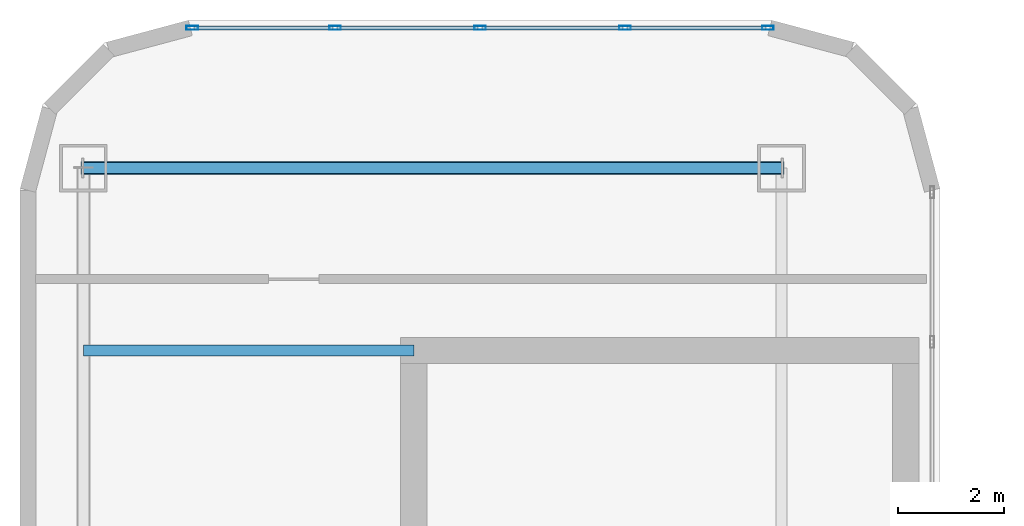
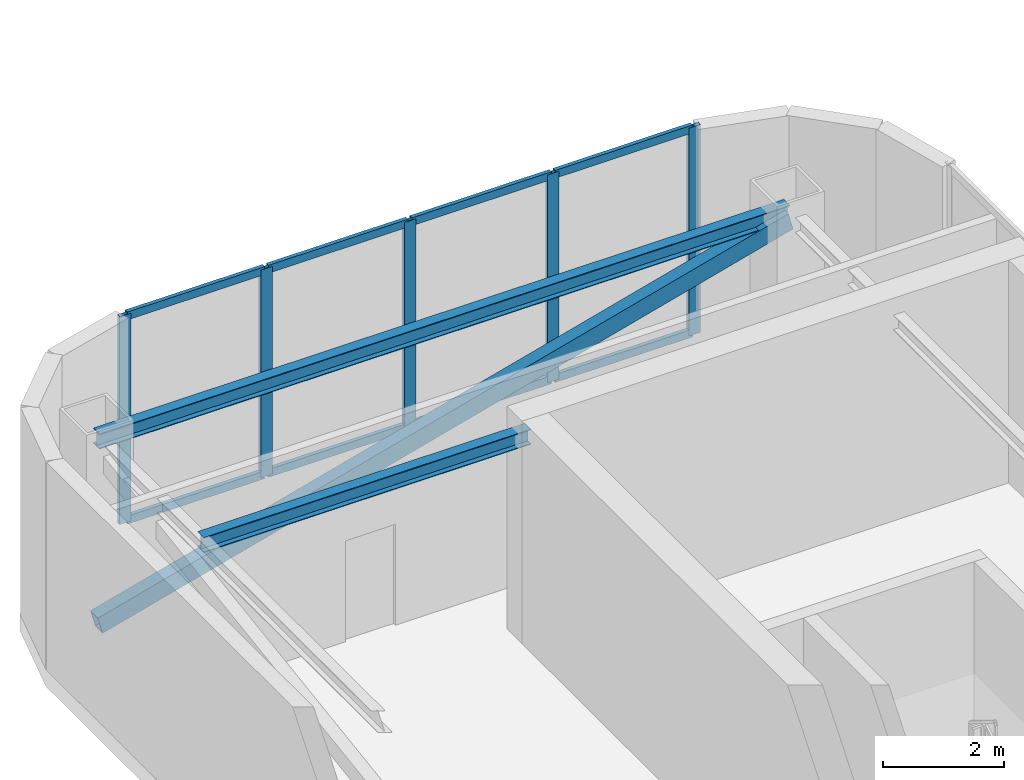
# One storey, part 4 of 14: 14 members, 2 beams, 1 element without a shape of its own.
"""IFC4 building model written with IfcOpenShell, lengths in metres."""

from ifc_helpers import new_model, si_unit, direction, frame, origin, origin_2d, place, context, subcontext, project, spatial, hollow_rectangle, i_section, extrude, material, layer, layer_set, material_profile, profile_set, type_object, element, aggregate, save


model = new_model("IFC4")

# Units and contexts
model_context = context("Model", 3, precision=1e-05, world=origin(), true_north=direction((0.0, 1.0)))
body_context = subcontext(model_context, "Body", "Model", "MODEL_VIEW")
ifc_project = project(units=[si_unit("LENGTHUNIT", "METRE"), si_unit("AREAUNIT", "SQUARE_METRE"), si_unit("VOLUMEUNIT", "CUBIC_METRE"), si_unit("PLANEANGLEUNIT", "RADIAN"), si_unit("MASSUNIT", "GRAM", prefix="KILO")], contexts=[model_context])

# Site, building, storey
site_placement = place(None, origin())
site = spatial("IfcSite", under=ifc_project, at=site_placement, CompositionType="ELEMENT")
building_placement = place(site_placement, origin())
building = spatial("IfcBuilding", under=site, at=building_placement, Name="Kiyonajd Concourse Tower", CompositionType="ELEMENT")
storey_placement = place(building_placement, frame((0.0, 0.0, 359.39990234375)))
storey = spatial("IfcBuildingStorey", under=building, at=storey_placement, Name="L90", CompositionType="ELEMENT", Elevation=359.39990234375)

# Beams
ifc_material_1 = material(Name="Steel ASTM A992 Grade 50", Category="steel")
ifc_material_profile_1 = material_profile(ifc_material_1, i_section(OverallWidth=0.2041015625, OverallDepth=0.305908203125, WebThickness=0.008544921875, FlangeThickness=0.0146484375, at=origin_2d()), Name="W310X67")
ifc_profile_set_1 = profile_set([ifc_material_profile_1], Name="Steel ASTM A992 Grade 50")
beam_type = type_object("IfcBeamType", Name="BM-CRN-310", PredefinedType="BEAM", material=ifc_profile_set_1)
beam_1_placement = place(storey_placement, frame((39.60009765625, 47.60009765625, 4.007080078125), z_axis=(-1.0, 0.0, 0.0), x_axis=(0.0, -1.0, 0.0)))
element("IfcBeam", 1, at=beam_1_placement, inside=storey, type_object=beam_type, Name="L90 W Crown Ring Beam 3", PredefinedType="BEAM", context=body_context, shape_type="SweptSolid", body=[
    extrude(i_section(OverallWidth=0.2041015625, OverallDepth=0.305908203125, WebThickness=0.008544921875, FlangeThickness=0.0146484375, at=origin_2d()), origin(), (0.0, 0.0, 1.0), 13.2001953125),
])
beam_2_placement = place(storey_placement, frame((26.39990234375, 44.14990234375, 4.007080078125), z_axis=(1.0, 0.0, 0.0), x_axis=(0.0, 1.0, 0.0)))
element("IfcBeam", 2, at=beam_2_placement, inside=storey, type_object=beam_type, Name="L90 W Crown Core Tie North", PredefinedType="BEAM", context=body_context, shape_type="SweptSolid", body=[
    extrude(i_section(OverallWidth=0.2041015625, OverallDepth=0.305908203125, WebThickness=0.008544921875, FlangeThickness=0.0146484375, at=origin_2d()), origin(), (0.0, 0.0, 1.0), 6.25),
])

# Member
ifc_material_2 = material(Name="Steel ASTM A500 Grade C", Category="steel")
ifc_material_profile_2 = material_profile(ifc_material_2, hollow_rectangle(XDim=0.25, YDim=0.35009765625, WallThickness=0.01611328125, at=origin_2d()), Name="HSS-350x250x16")
ifc_profile_set_2 = profile_set([ifc_material_profile_2], Name="Steel ASTM A500 Grade C")
member_type_1 = type_object("IfcMemberType", Name="MB-CRN-BRC", PredefinedType="BRACE", material=ifc_profile_set_2)
member_1_placement = place(storey_placement, frame((26.39990234375, 47.60009765625, 0.300048828125), z_axis=(0.965686426115, 0.0, 0.25971085156), x_axis=(0.0, 1.0, 0.0)))
element("IfcMember", 3, at=member_1_placement, inside=storey, type_object=member_type_1, Name="L90 W Crown Wind Brace 1", PredefinedType="BRACE", context=body_context, shape_type="SweptSolid", body=[
    extrude(hollow_rectangle(XDim=0.25, YDim=0.35009765625, WallThickness=0.01611328125, at=origin_2d()), origin(), (0.0, 0.0, 1.0), 13.669189453125),
])

# Curtain wall, members
ifc_material_3 = material(Name="Thermally Broken Anodised Aluminium", Category="aluminium")
ifc_layer = layer(ifc_material_3, 0.179931640625)
ifc_layer_set = layer_set([ifc_layer], Name="Thermally Broken Anodised Aluminium")
curtain_wall_type = type_object("IfcCurtainWallType", Name="CW-SYS-06", PredefinedType="NOTDEFINED", material=ifc_layer_set)
curtain_wall_placement = place(storey_placement, origin())
curtain_wall = element("IfcCurtainWall", 4, at=curtain_wall_placement, inside=storey, type_object=curtain_wall_type, Name="L90 Unitised Curtain Wall CW6", PredefinedType="NOTDEFINED")
ifc_material_profile_3 = material_profile(ifc_material_3, hollow_rectangle(XDim=0.074951171875, YDim=0.219970703125, WallThickness=0.0048828125, at=origin_2d()), Name="MULL-75x220")
ifc_profile_set_3 = profile_set([ifc_material_profile_3], Name="Thermally Broken Anodised Aluminium")
member_type_2 = type_object("IfcMemberType", Name="MB-CW-MULL2", PredefinedType="MULLION", material=ifc_profile_set_3)
member_2_placement = place(storey_placement, frame((28.457275390625, 50.25, 0.0), z_axis=(0.0, 0.0, 1.0), x_axis=(0.0, 1.0, 0.0)))
member_2 = element("IfcMember", 5, at=member_2_placement, type_object=member_type_2, Name="CW6 mullion 1", PredefinedType="MULLION", context=body_context, shape_type="SweptSolid", body=[
    extrude(hollow_rectangle(XDim=0.074951171875, YDim=0.219970703125, WallThickness=0.0048828125, at=origin_2d()), origin(), (0.0, 0.0, 1.0), 4.2001953125),
])
member_3_placement = place(storey_placement, frame((31.159912109375, 50.25, 0.0), z_axis=(0.0, 0.0, 1.0), x_axis=(0.0, 1.0, 0.0)))
member_3 = element("IfcMember", 6, at=member_3_placement, type_object=member_type_2, Name="CW6 mullion 2", PredefinedType="MULLION", context=body_context, shape_type="SweptSolid", body=[
    extrude(hollow_rectangle(XDim=0.074951171875, YDim=0.219970703125, WallThickness=0.0048828125, at=origin_2d()), origin(), (0.0, 0.0, 1.0), 4.2001953125),
])
member_4_placement = place(storey_placement, frame((33.89990234375, 50.25, 0.0), z_axis=(0.0, 0.0, 1.0), x_axis=(0.0, 1.0, 0.0)))
member_4 = element("IfcMember", 7, at=member_4_placement, type_object=member_type_2, Name="CW6 mullion 3", PredefinedType="MULLION", context=body_context, shape_type="SweptSolid", body=[
    extrude(hollow_rectangle(XDim=0.074951171875, YDim=0.219970703125, WallThickness=0.0048828125, at=origin_2d()), origin(), (0.0, 0.0, 1.0), 4.2001953125),
])
member_5_placement = place(storey_placement, frame((36.64013671875, 50.25, 0.0), z_axis=(0.0, 0.0, 1.0), x_axis=(0.0, 1.0, 0.0)))
member_5 = element("IfcMember", 8, at=member_5_placement, type_object=member_type_2, Name="CW6 mullion 4", PredefinedType="MULLION", context=body_context, shape_type="SweptSolid", body=[
    extrude(hollow_rectangle(XDim=0.074951171875, YDim=0.219970703125, WallThickness=0.0048828125, at=origin_2d()), origin(), (0.0, 0.0, 1.0), 4.2001953125),
])
member_6_placement = place(storey_placement, frame((39.3427734375, 50.25, 0.0), z_axis=(0.0, 0.0, 1.0), x_axis=(0.0, 1.0, 0.0)))
member_6 = element("IfcMember", 9, at=member_6_placement, type_object=member_type_2, Name="CW6 mullion 5", PredefinedType="MULLION", context=body_context, shape_type="SweptSolid", body=[
    extrude(hollow_rectangle(XDim=0.074951171875, YDim=0.219970703125, WallThickness=0.0048828125, at=origin_2d()), origin(), (0.0, 0.0, 1.0), 4.2001953125),
])
ifc_material_profile_4 = material_profile(ifc_material_3, hollow_rectangle(XDim=0.074951171875, YDim=0.159912109375, WallThickness=0.0048828125, at=origin_2d()), Name="TRAN-75x160")
ifc_profile_set_4 = profile_set([ifc_material_profile_4], Name="Thermally Broken Anodised Aluminium")
member_type_3 = type_object("IfcMemberType", Name="MB-CW-TRAN2", PredefinedType="USERDEFINED", material=ifc_profile_set_4)
member_7_placement = place(storey_placement, frame((28.494873046875, 50.25, 0.03759765625), z_axis=(1.0, 0.0, 0.0), x_axis=(0.0, 1.0, 0.0)))
member_7 = element("IfcMember", 10, at=member_7_placement, type_object=member_type_3, Name="CW6 transom 1.1", ObjectType="TRANSOM", PredefinedType="USERDEFINED", context=body_context, shape_type="SweptSolid", body=[
    extrude(hollow_rectangle(XDim=0.074951171875, YDim=0.159912109375, WallThickness=0.0048828125, at=origin_2d()), origin(), (0.0, 0.0, 1.0), 2.62744140625),
])
member_8_placement = place(storey_placement, frame((28.494873046875, 50.25, 4.16259765625), z_axis=(1.0, 0.0, 0.0), x_axis=(0.0, 1.0, 0.0)))
member_8 = element("IfcMember", 11, at=member_8_placement, type_object=member_type_3, Name="CW6 transom 1.2", ObjectType="TRANSOM", PredefinedType="USERDEFINED", context=body_context, shape_type="SweptSolid", body=[
    extrude(hollow_rectangle(XDim=0.074951171875, YDim=0.159912109375, WallThickness=0.0048828125, at=origin_2d()), origin(), (0.0, 0.0, 1.0), 2.62744140625),
])
member_9_placement = place(storey_placement, frame((31.197509765625, 50.25, 0.03759765625), z_axis=(1.0, 0.0, 0.0), x_axis=(0.0, 1.0, 0.0)))
member_9 = element("IfcMember", 12, at=member_9_placement, type_object=member_type_3, Name="CW6 transom 2.1", ObjectType="TRANSOM", PredefinedType="USERDEFINED", context=body_context, shape_type="SweptSolid", body=[
    extrude(hollow_rectangle(XDim=0.074951171875, YDim=0.159912109375, WallThickness=0.0048828125, at=origin_2d()), origin(), (0.0, 0.0, 1.0), 2.6650390625),
])
member_10_placement = place(storey_placement, frame((31.197509765625, 50.25, 4.16259765625), z_axis=(1.0, 0.0, 0.0), x_axis=(0.0, 1.0, 0.0)))
member_10 = element("IfcMember", 13, at=member_10_placement, type_object=member_type_3, Name="CW6 transom 2.2", ObjectType="TRANSOM", PredefinedType="USERDEFINED", context=body_context, shape_type="SweptSolid", body=[
    extrude(hollow_rectangle(XDim=0.074951171875, YDim=0.159912109375, WallThickness=0.0048828125, at=origin_2d()), origin(), (0.0, 0.0, 1.0), 2.6650390625),
])
member_11_placement = place(storey_placement, frame((33.9375, 50.25, 0.03759765625), z_axis=(1.0, 0.0, 0.0), x_axis=(0.0, 1.0, 0.0)))
member_11 = element("IfcMember", 14, at=member_11_placement, type_object=member_type_3, Name="CW6 transom 3.1", ObjectType="TRANSOM", PredefinedType="USERDEFINED", context=body_context, shape_type="SweptSolid", body=[
    extrude(hollow_rectangle(XDim=0.074951171875, YDim=0.159912109375, WallThickness=0.0048828125, at=origin_2d()), origin(), (0.0, 0.0, 1.0), 2.6650390625),
])
member_12_placement = place(storey_placement, frame((33.9375, 50.25, 4.16259765625), z_axis=(1.0, 0.0, 0.0), x_axis=(0.0, 1.0, 0.0)))
member_12 = element("IfcMember", 15, at=member_12_placement, type_object=member_type_3, Name="CW6 transom 3.2", ObjectType="TRANSOM", PredefinedType="USERDEFINED", context=body_context, shape_type="SweptSolid", body=[
    extrude(hollow_rectangle(XDim=0.074951171875, YDim=0.159912109375, WallThickness=0.0048828125, at=origin_2d()), origin(), (0.0, 0.0, 1.0), 2.6650390625),
])
member_13_placement = place(storey_placement, frame((36.677490234375, 50.25, 0.03759765625), z_axis=(1.0, 0.0, 0.0), x_axis=(0.0, 1.0, 0.0)))
member_13 = element("IfcMember", 16, at=member_13_placement, type_object=member_type_3, Name="CW6 transom 4.1", ObjectType="TRANSOM", PredefinedType="USERDEFINED", context=body_context, shape_type="SweptSolid", body=[
    extrude(hollow_rectangle(XDim=0.074951171875, YDim=0.159912109375, WallThickness=0.0048828125, at=origin_2d()), origin(), (0.0, 0.0, 1.0), 2.627685546875),
])
member_14_placement = place(storey_placement, frame((36.677490234375, 50.25, 4.16259765625), z_axis=(1.0, 0.0, 0.0), x_axis=(0.0, 1.0, 0.0)))
member_14 = element("IfcMember", 17, at=member_14_placement, type_object=member_type_3, Name="CW6 transom 4.2", ObjectType="TRANSOM", PredefinedType="USERDEFINED", context=body_context, shape_type="SweptSolid", body=[
    extrude(hollow_rectangle(XDim=0.074951171875, YDim=0.159912109375, WallThickness=0.0048828125, at=origin_2d()), origin(), (0.0, 0.0, 1.0), 2.627685546875),
])
aggregate(curtain_wall, [member_2, member_3, member_4, member_5, member_6, member_7, member_8, member_9, member_10, member_11, member_12, member_13, member_14])

save(model, "model.ifc")
